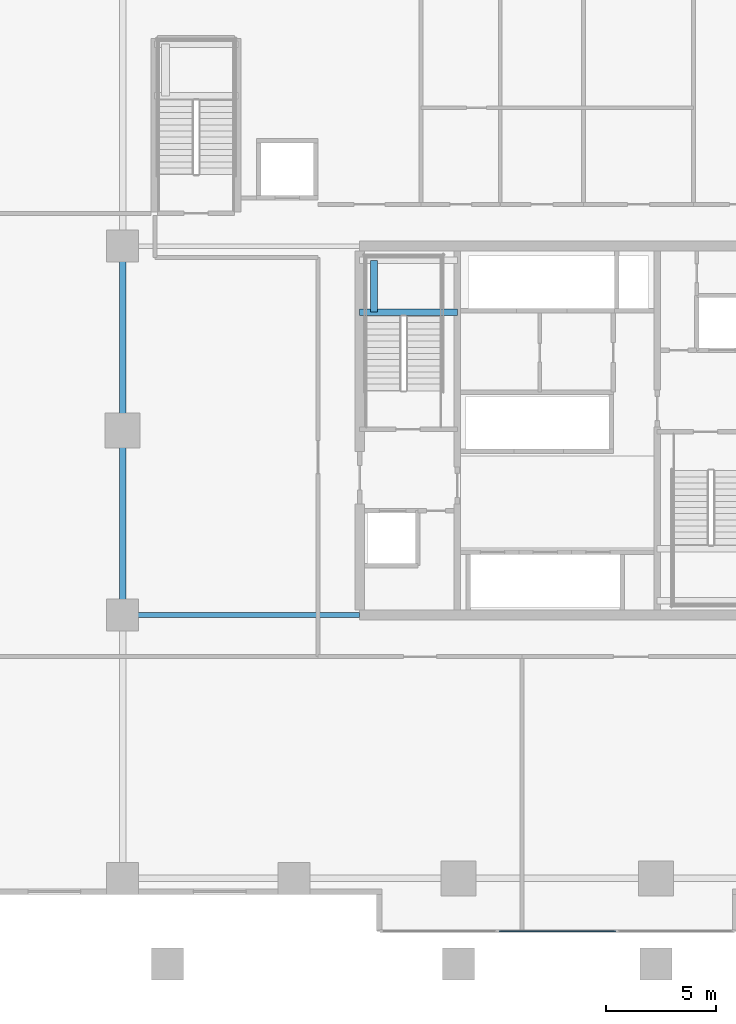
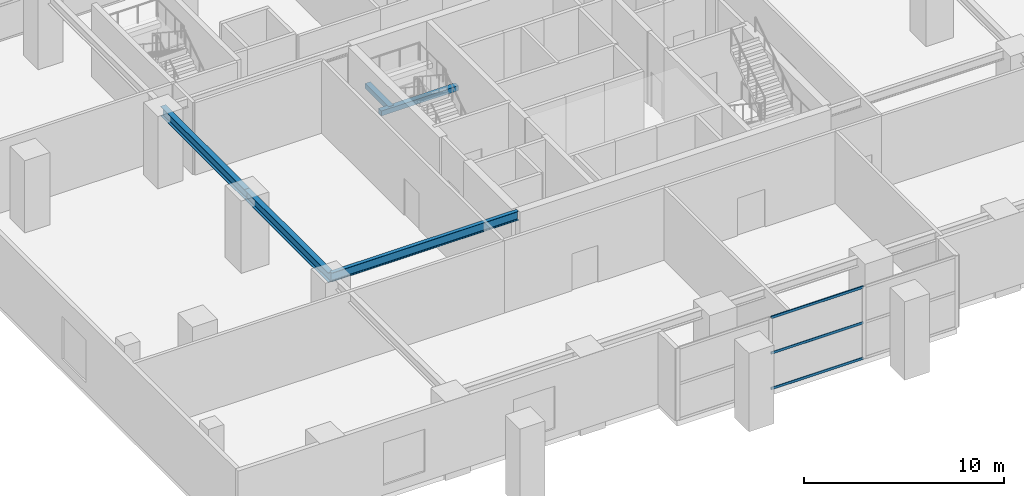
# One storey, part 3 of 20: 5 beams, 3 members, 1 element without a shape of its own.
"""IFC4 building model written with IfcOpenShell, lengths in metres."""

import ifcopenshell
import ifcopenshell.guid

model = None  # the IFC model being written
_history = None  # IfcOwnerHistory: only IFC2X3 demands one
_inside = {}  # id of a spatial element -> (the spatial element, [elements in it])
_under = {}  # id of a project, library or spatial element -> (it, [spatial elements below it])
_declared = {}  # id of a project -> (the project, [libraries it declares])
_typed = {}  # id of a type object -> (the type object, [elements of that type])
_made_of = {}  # id of a material, layer set ... -> (it, [elements and type objects made of it])


def new_model(schema):
    """Start an empty IFC model of exactly this schema.

    Asked for "IFC4X3", IfcOpenShell would pick the latest addendum, in which some entities
    have other attributes; the version numbers below select the first issue.
    IFC2X3 requires an IfcOwnerHistory on every rooted entity: one is made here for all.
    """
    global model, _history
    if schema == "IFC4X3":
        model = ifcopenshell.file(schema_version=(4, 3, 0, 0))
    else:
        model = ifcopenshell.file(schema=schema)
    _inside.clear()
    _under.clear()
    _declared.clear()
    _typed.clear()
    _made_of.clear()
    _history = None
    if model.schema == "IFC2X3":
        org = make("IfcOrganization", Name="unknown")
        user = make(
            "IfcPersonAndOrganization",
            ThePerson=make("IfcPerson", FamilyName="unknown"),
            TheOrganization=org,
        )
        app = make(
            "IfcApplication",
            ApplicationDeveloper=org,
            Version="unknown",
            ApplicationFullName="unknown",
            ApplicationIdentifier="unknown",
        )
        _history = make(
            "IfcOwnerHistory",
            OwningUser=user,
            OwningApplication=app,
            ChangeAction="ADDED",
            CreationDate=0,
        )
    return model


def make(cls, **values):
    """One entity of the class cls with the attributes given. An attribute that is None is left unset."""
    return model.create_entity(
        cls, **{name: value for name, value in values.items() if value is not None}
    )


def rooted(cls, **values):
    """An entity with a GlobalId (a new one), such as an element, a storey or a relation."""
    return make(cls, GlobalId=ifcopenshell.guid.new(), OwnerHistory=_history, **values)


def si_unit(unit_type, name, prefix=None):
    """IfcSIUnit, for example si_unit("LENGTHUNIT", "METRE", prefix="MILLI")."""
    return make("IfcSIUnit", UnitType=unit_type, Prefix=prefix, Name=name)


def assignment(units):
    """IfcUnitAssignment: the units of a project."""
    return None if units is None else make("IfcUnitAssignment", Units=units)


def point(xyz):
    """IfcCartesianPoint."""
    return None if xyz is None else make("IfcCartesianPoint", Coordinates=xyz)


def direction(xyz):
    """IfcDirection."""
    return None if xyz is None else make("IfcDirection", DirectionRatios=xyz)


def frame(location, z_axis=None, x_axis=None):
    """IfcAxis2Placement3D, a coordinate frame: its origin and axes. An axis left out is left unset."""
    return make(
        "IfcAxis2Placement3D",
        Location=point(location),
        Axis=direction(z_axis),
        RefDirection=direction(x_axis),
    )


def frame_2d(location, x_axis=None):
    """IfcAxis2Placement2D, a coordinate frame in the plane: its origin and x axis."""
    return make(
        "IfcAxis2Placement2D", Location=point(location), RefDirection=direction(x_axis)
    )


def origin():
    """The frame at (0, 0, 0) with its axes left unset."""
    return frame((0.0, 0.0, 0.0))


def origin_2d():
    """The frame at (0, 0) in the plane with its x axis left unset."""
    return frame_2d((0.0, 0.0))


def place(relative_to, where):
    """IfcLocalPlacement: puts the frame where relative to a parent placement (None: the world)."""
    return make(
        "IfcLocalPlacement", PlacementRelTo=relative_to, RelativePlacement=where
    )


def context(
    kind, dimensions, precision=None, world=None, true_north=None, identifier=None
):
    """IfcGeometricRepresentationContext, for example the 3D "Model" context."""
    return make(
        "IfcGeometricRepresentationContext",
        ContextIdentifier=identifier,
        ContextType=kind,
        CoordinateSpaceDimension=dimensions,
        Precision=precision,
        WorldCoordinateSystem=world,
        TrueNorth=true_north,
    )


def subcontext(parent, identifier, kind, view, scale=None):
    """IfcGeometricRepresentationSubContext, for example "Body" below "Model"."""
    return make(
        "IfcGeometricRepresentationSubContext",
        ContextIdentifier=identifier,
        ContextType=kind,
        ParentContext=parent,
        TargetScale=scale,
        TargetView=view,
    )


def project(units=None, contexts=None):
    """IfcProject with its units and contexts."""
    return rooted(
        "IfcProject",
        Name="project",
        RepresentationContexts=contexts,
        UnitsInContext=assignment(units),
    )


def spatial(cls, under=None, at=None, **own):
    """A site, building, storey or space (cls), placed at a placement, below another one or the project."""
    s = rooted(cls, ObjectPlacement=at, **own)
    if under is not None:
        _under.setdefault(under.id(), (under, []))[1].append(s)
    return s


def profile(cls, at=None, kind="AREA", **sizes):
    """A parametric profile (cls). Its sizes go by their IFC names, for example OverallWidth=200.0."""
    return make(cls, ProfileType=kind, Position=at, **sizes)


def rectangle(**sizes):
    """IfcRectangleProfileDef."""
    return profile("IfcRectangleProfileDef", **sizes)


def hollow_rectangle(**sizes):
    """IfcRectangleHollowProfileDef."""
    return profile("IfcRectangleHollowProfileDef", **sizes)


def i_section(**sizes):
    """IfcIShapeProfileDef."""
    return profile("IfcIShapeProfileDef", **sizes)


def extrude(swept, where, along, depth):
    """IfcExtrudedAreaSolid: the profile swept, set in the frame where, extruded along a direction by depth."""
    return make(
        "IfcExtrudedAreaSolid",
        SweptArea=swept,
        Position=where,
        ExtrudedDirection=direction(along),
        Depth=depth,
    )


def shape(context_of_items, identifier, shape_type, items):
    """IfcShapeRepresentation: the items that make up one representation, for example the "Body"."""
    return make(
        "IfcShapeRepresentation",
        ContextOfItems=context_of_items,
        RepresentationIdentifier=identifier,
        RepresentationType=shape_type,
        Items=items,
    )


def source(mapping_origin, context_of_items, identifier, shape_type, items):
    """IfcRepresentationMap: a shape defined once, which mapped items show again and again."""
    return make(
        "IfcRepresentationMap",
        MappingOrigin=mapping_origin,
        MappedRepresentation=shape(context_of_items, identifier, shape_type, items),
    )


def transform(
    local_origin,
    x_axis=None,
    y_axis=None,
    z_axis=None,
    scale=None,
    scale2=None,
    scale3=None,
    uniform=True,
):
    """IfcCartesianTransformationOperator3D, or its non-uniform kind. x_axis, y_axis, z_axis: its Axis1, 2, 3."""
    if uniform:
        return make(
            "IfcCartesianTransformationOperator3D",
            Axis1=direction(x_axis),
            Axis2=direction(y_axis),
            LocalOrigin=point(local_origin),
            Scale=scale,
            Axis3=direction(z_axis),
        )
    return make(
        "IfcCartesianTransformationOperator3DnonUniform",
        Axis1=direction(x_axis),
        Axis2=direction(y_axis),
        LocalOrigin=point(local_origin),
        Scale=scale,
        Axis3=direction(z_axis),
        Scale2=scale2,
        Scale3=scale3,
    )


def mapped(mapping_source, mapping_target):
    """IfcMappedItem: shows the shape of a source again, moved by a transform."""
    return make(
        "IfcMappedItem", MappingSource=mapping_source, MappingTarget=mapping_target
    )


def material(Name=None, Category=None):
    """IfcMaterial."""
    return make("IfcMaterial", Name=Name, Category=Category)


def layer(
    of_material, thickness, ventilated=None, Name=None, Category=None, Priority=None
):
    """IfcMaterialLayer: one layer of a wall or slab, of a material (None: an air gap)."""
    return make(
        "IfcMaterialLayer",
        Material=of_material,
        LayerThickness=thickness,
        IsVentilated=ventilated,
        Name=Name,
        Category=Category,
        Priority=Priority,
    )


def layer_set(layers, Name=None):
    """IfcMaterialLayerSet."""
    return make("IfcMaterialLayerSet", MaterialLayers=layers, LayerSetName=Name)


def material_profile(
    of_material, cross_section, Name=None, Category=None, Priority=None
):
    """IfcMaterialProfile: a cross section and its material."""
    return make(
        "IfcMaterialProfile",
        Name=Name,
        Material=of_material,
        Profile=cross_section,
        Priority=Priority,
        Category=Category,
    )


def profile_set(profiles, Name=None, composite=None):
    """IfcMaterialProfileSet."""
    return make(
        "IfcMaterialProfileSet",
        Name=Name,
        MaterialProfiles=profiles,
        CompositeProfile=composite,
    )


def made_of(thing, what):
    """Note that an element or type object is made of a material, layer set ...; save() writes the relation."""
    if what is not None:
        _made_of.setdefault(what.id(), (what, []))[1].append(thing)
    return thing


def type_object(cls, material=None, **own):
    """A type object (cls), such as IfcWallType, which elements share."""
    return made_of(rooted(cls, **own), material)


def element(
    cls,
    number,
    at=None,
    inside=None,
    cuts=None,
    type_object=None,
    material=None,
    context=None,
    identifier="Body",
    shape_type=None,
    held_by="IfcProductDefinitionShape",
    body=None,
    shapes=None,
    **own,
):
    """One element of the class cls, such as IfcWall. Its Tag is "e" and its number.

    at: its placement. inside: the storey or other place that contains it. cuts: it is an
    opening in that element (IfcRelVoidsElement). A single representation is given by context,
    identifier, shape_type and body (its items); several are given by shapes. held_by: the class
    of the entity that holds the representations. save() writes the other relations.
    """
    e = rooted(cls, Tag="e%d" % number, ObjectPlacement=at, **own)
    if body is not None:
        shapes = [shape(context, identifier, shape_type, body)]
    if shapes is not None:
        e.Representation = make(held_by, Representations=shapes)
    if inside is not None:
        _inside.setdefault(inside.id(), (inside, []))[1].append(e)
    if cuts is not None:
        rooted(
            "IfcRelVoidsElement", RelatingBuildingElement=cuts, RelatedOpeningElement=e
        )
    if type_object is not None:
        _typed.setdefault(type_object.id(), (type_object, []))[1].append(e)
    return made_of(e, material)


def aggregate(whole, parts):
    """IfcRelAggregates: a whole, such as a stair, and the parts it consists of."""
    return rooted("IfcRelAggregates", RelatingObject=whole, RelatedObjects=parts)


def save(model, path):
    """Write the relations noted so far, then the file.

    IfcRelAggregates (storeys below a building ...), IfcRelContainedInSpatialStructure (elements
    in a storey), IfcRelDefinesByType, IfcRelAssociatesMaterial and IfcRelDeclares: one each for
    every whole, place, type object, material and project.
    """
    for whole, parts in _under.values():
        aggregate(whole, parts)
    for where, things in _inside.values():
        rooted(
            "IfcRelContainedInSpatialStructure",
            RelatedElements=things,
            RelatingStructure=where,
        )
    for kind, things in _typed.values():
        rooted("IfcRelDefinesByType", RelatedObjects=things, RelatingType=kind)
    for what, things in _made_of.values():
        rooted("IfcRelAssociatesMaterial", RelatedObjects=things, RelatingMaterial=what)
    for by, libraries in _declared.values():
        rooted("IfcRelDeclares", RelatingContext=by, RelatedDefinitions=libraries)
    model.write(path)


model = new_model("IFC4")

# Units and contexts
model_context = context("Model", 3, precision=1e-05, world=origin(), true_north=direction((0.0, 1.0)))
body_context = subcontext(model_context, "Body", "Model", "MODEL_VIEW")
ifc_project = project(units=[si_unit("LENGTHUNIT", "METRE"), si_unit("AREAUNIT", "SQUARE_METRE"), si_unit("VOLUMEUNIT", "CUBIC_METRE"), si_unit("PLANEANGLEUNIT", "RADIAN"), si_unit("MASSUNIT", "GRAM", prefix="KILO")], contexts=[model_context])

# Site, building, storey
site_placement = place(None, origin())
site = spatial("IfcSite", under=ifc_project, at=site_placement, CompositionType="ELEMENT")
building_placement = place(site_placement, origin())
building = spatial("IfcBuilding", under=site, at=building_placement, Name="Serunith Strait Residences", CompositionType="ELEMENT")
storey_placement = place(building_placement, frame((0.0, 0.0, 10.5)))
storey = spatial("IfcBuildingStorey", under=building, at=storey_placement, Name="L02", CompositionType="ELEMENT", Elevation=10.5)

# Beams
ifc_material_1 = material(Name="Steel S355J2", Category="steel")
ifc_material_profile_1 = material_profile(ifc_material_1, i_section(OverallWidth=0.300048828125, OverallDepth=0.60009765625, WebThickness=0.015380859375, FlangeThickness=0.030029296875, FilletRadius=0.027099609375, at=origin_2d()), Name="HEB 600")
ifc_profile_set_1 = profile_set([ifc_material_profile_1], Name="Steel S355J2")
beam_type_1 = type_object("IfcBeamType", Name="BM-HEB600", PredefinedType="BEAM", material=ifc_profile_set_1)
shared_shape_1 = source(origin(), body_context, "Body", "SweptSolid", [
    extrude(i_section(OverallWidth=0.300048828125, OverallDepth=0.60009765625, WebThickness=0.015380859375, FlangeThickness=0.030029296875, FilletRadius=0.027099609375, at=origin_2d()), origin(), (0.0, 0.0, 1.0), 8.39990234375),
])
beam_1_placement = place(storey_placement, frame((12.60009765625, 16.800048828125, 4.116943359375), z_axis=(0.0, 1.0, 0.0), x_axis=(-1.0, 0.0, 0.0)))
element("IfcBeam", 1, at=beam_1_placement, inside=storey, type_object=beam_type_1, Name="BM-L02-12", PredefinedType="BEAM", context=body_context, shape_type="MappedRepresentation", body=[
    mapped(shared_shape_1, transform((0.0, 0.0, 0.0), scale=1.0)),
])
shared_shape_2 = source(origin(), body_context, "Body", "SweptSolid", [
    extrude(i_section(OverallWidth=0.300048828125, OverallDepth=0.60009765625, WebThickness=0.015380859375, FlangeThickness=0.030029296875, FilletRadius=0.027099609375, at=origin_2d()), origin(), (0.0, 0.0, 1.0), 8.400146484375),
])
beam_2_placement = place(storey_placement, frame((12.60009765625, 25.199951171875, 4.116943359375), z_axis=(0.0, 1.0, 0.0), x_axis=(-1.0, 0.0, 0.0)))
element("IfcBeam", 2, at=beam_2_placement, inside=storey, type_object=beam_type_1, Name="BM-L02-13", PredefinedType="BEAM", context=body_context, shape_type="MappedRepresentation", body=[
    mapped(shared_shape_2, transform((0.0, 0.0, 0.0), scale=1.0)),
])
ifc_material_profile_2 = material_profile(ifc_material_1, i_section(OverallWidth=0.2099609375, OverallDepth=0.550048828125, WebThickness=0.010986328125, FlangeThickness=0.01708984375, FilletRadius=0.02392578125, at=origin_2d()), Name="IPE 550")
ifc_profile_set_2 = profile_set([ifc_material_profile_2], Name="Steel S355J2")
beam_type_2 = type_object("IfcBeamType", Name="BM-IPE550", PredefinedType="BEAM", material=ifc_profile_set_2)
shared_shape_3 = source(origin(), body_context, "Body", "SweptSolid", [
    extrude(i_section(OverallWidth=0.2099609375, OverallDepth=0.550048828125, WebThickness=0.010986328125, FlangeThickness=0.01708984375, FilletRadius=0.02392578125, at=origin_2d()), origin(), (0.0, 0.0, 1.0), 10.7998046875),
])
beam_3_placement = place(storey_placement, frame((12.60009765625, 16.800048828125, 4.14208984375), z_axis=(1.0, 0.0, 0.0), x_axis=(0.0, 1.0, 0.0)))
element("IfcBeam", 3, at=beam_3_placement, inside=storey, type_object=beam_type_2, Name="BM-L02-19", PredefinedType="BEAM", context=body_context, shape_type="MappedRepresentation", body=[
    mapped(shared_shape_3, transform((0.0, 0.0, 0.0), scale=1.0)),
])
ifc_material_2 = material(Name="Concrete C60/75", Category="concrete")
ifc_material_profile_3 = material_profile(ifc_material_2, rectangle(XDim=0.300048828125, YDim=0.300048828125, at=origin_2d()), Name="RC 300x300")
ifc_profile_set_3 = profile_set([ifc_material_profile_3], Name="Concrete C60/75")
beam_type_3 = type_object("IfcBeamType", Name="BM-LAND-300x300", PredefinedType="BEAM", material=ifc_profile_set_3)
shared_shape_4 = source(origin(), body_context, "Body", "SweptSolid", [
    extrude(rectangle(XDim=0.300048828125, YDim=0.300048828125, at=origin_2d()), origin(), (0.0, 0.0, 1.0), 4.4501953125),
])
beam_4_placement = place(storey_placement, frame((23.39990234375, 30.590087890625, 2.050048828125), z_axis=(1.0, 0.0, 0.0), x_axis=(0.0, 1.0, 0.0)))
element("IfcBeam", 4, at=beam_4_placement, inside=storey, type_object=beam_type_3, Name="L02 ST-1 Landing Support Beam 1", PredefinedType="BEAM", context=body_context, shape_type="MappedRepresentation", body=[
    mapped(shared_shape_4, transform((0.0, 0.0, 0.0), scale=1.0)),
])
shared_shape_5 = source(origin(), body_context, "Body", "SweptSolid", [
    extrude(rectangle(XDim=0.300048828125, YDim=0.300048828125, at=origin_2d()), origin(), (0.0, 0.0, 1.0), 2.35986328125),
])
beam_5_placement = place(storey_placement, frame((24.050048828125, 30.590087890625, 2.050048828125), z_axis=(0.0, 1.0, 0.0), x_axis=(-1.0, 0.0, 0.0)))
element("IfcBeam", 5, at=beam_5_placement, inside=storey, type_object=beam_type_3, Name="L02 ST-1 Landing Transverse Tie Beam", PredefinedType="BEAM", context=body_context, shape_type="MappedRepresentation", body=[
    mapped(shared_shape_5, transform((0.0, 0.0, 0.0), scale=1.0)),
])

# Curtain wall, members
ifc_material_3 = material(Name="Pale-Champagne Anodised Aluminium", Category="aluminium")
ifc_layer = layer(ifc_material_3, 0.199951171875, Name="Pale-Champagne Anodised Aluminium")
ifc_layer_set = layer_set([ifc_layer], Name="Pale-Champagne Anodised Aluminium")
curtain_wall_type = type_object("IfcCurtainWallType", Name="CW-SYS6", PredefinedType="NOTDEFINED", material=ifc_layer_set)
curtain_wall_placement = place(storey_placement, origin())
curtain_wall = element("IfcCurtainWall", 6, at=curtain_wall_placement, inside=storey, type_object=curtain_wall_type, Name="L02 Podium Galleria Curtain Wall 3A", PredefinedType="NOTDEFINED")
ifc_material_profile_4 = material_profile(ifc_material_3, hollow_rectangle(XDim=0.06005859375, YDim=0.159912109375, WallThickness=0.00341796875, InnerFilletRadius=0.00537109375, OuterFilletRadius=0.0087890625, at=origin_2d()), Name="ALU 160x60x3.5")
ifc_profile_set_4 = profile_set([ifc_material_profile_4], Name="Pale-Champagne Anodised Aluminium")
member_type = type_object("IfcMemberType", Name="CW-SYS6-TRAN", PredefinedType="USERDEFINED", material=ifc_profile_set_4)
shared_shape_6 = source(origin(), body_context, "Body", "SweptSolid", [
    extrude(hollow_rectangle(XDim=0.06005859375, YDim=0.159912109375, WallThickness=0.00341796875, InnerFilletRadius=0.00537109375, OuterFilletRadius=0.0087890625, at=origin_2d()), origin(), (0.0, 0.0, 1.0), 5.324951171875),
])
member_1_placement = place(storey_placement, frame((29.737548828125, 2.39990234375, 0.030029296875), z_axis=(1.0, 0.0, 0.0), x_axis=(0.0, 1.0, 0.0)))
member_1 = element("IfcMember", 7, at=member_1_placement, type_object=member_type, Name="CW-6 transom 2.1", ObjectType="TRANSOM", PredefinedType="USERDEFINED", context=body_context, shape_type="MappedRepresentation", body=[
    mapped(shared_shape_6, transform((0.0, 0.0, 0.0), scale=1.0)),
])
member_2_placement = place(storey_placement, frame((29.737548828125, 2.39990234375, 2.202392578125), z_axis=(1.0, 0.0, 0.0), x_axis=(0.0, 1.0, 0.0)))
member_2 = element("IfcMember", 8, at=member_2_placement, type_object=member_type, Name="CW-6 transom 2.2", ObjectType="TRANSOM", PredefinedType="USERDEFINED", context=body_context, shape_type="MappedRepresentation", body=[
    mapped(shared_shape_6, transform((0.0, 0.0, 0.0), scale=1.0)),
])
member_3_placement = place(storey_placement, frame((29.737548828125, 2.39990234375, 4.375), z_axis=(1.0, 0.0, 0.0), x_axis=(0.0, 1.0, 0.0)))
member_3 = element("IfcMember", 9, at=member_3_placement, type_object=member_type, Name="CW-6 transom 2.3", ObjectType="TRANSOM", PredefinedType="USERDEFINED", context=body_context, shape_type="MappedRepresentation", body=[
    mapped(shared_shape_6, transform((0.0, 0.0, 0.0), scale=1.0)),
])
aggregate(curtain_wall, [member_1, member_2, member_3])

save(model, "model.ifc")
